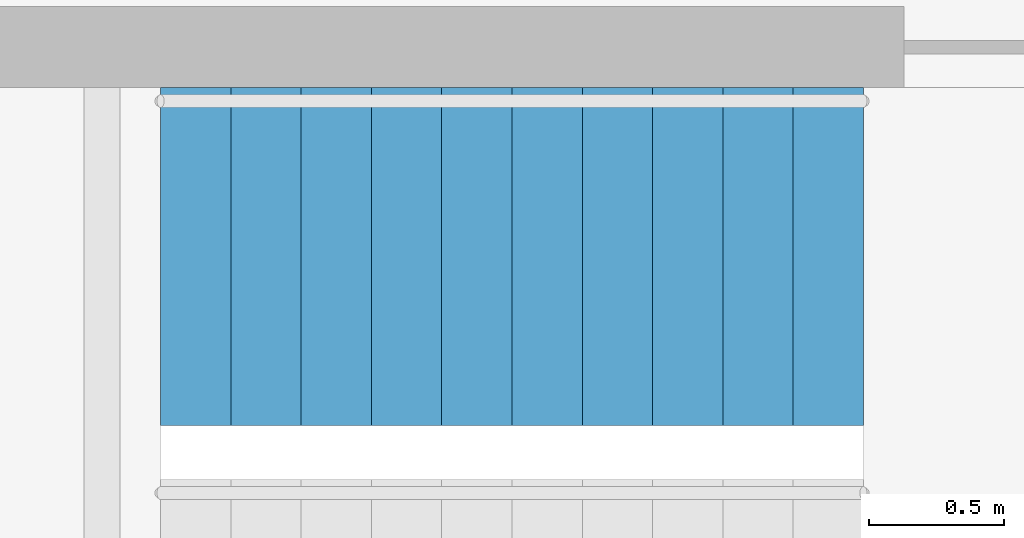
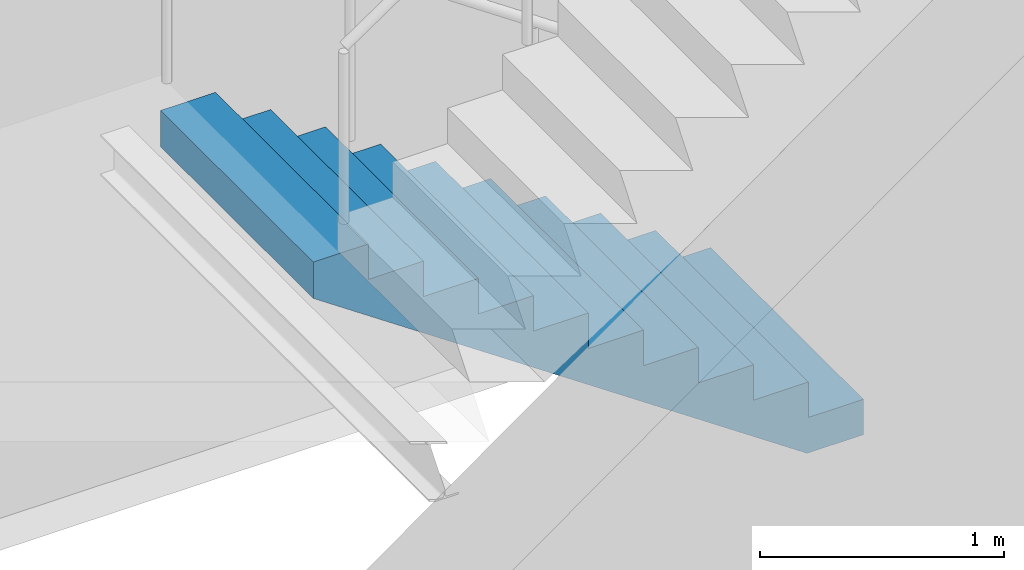
# One storey, part 12 of 14: 1 stair flight, 1 element without a shape of its own.
"""IFC4 building model written with IfcOpenShell, lengths in metres."""

from ifc_helpers import new_model, si_unit, direction, frame, origin, place, context, subcontext, project, spatial, polyline, outline, extrude, material, type_object, element, aggregate, save


model = new_model("IFC4")

# Units and contexts
model_context = context("Model", 3, precision=1e-05, world=origin(), true_north=direction((0.0, 1.0)))
body_context = subcontext(model_context, "Body", "Model", "MODEL_VIEW")
ifc_project = project(units=[si_unit("LENGTHUNIT", "METRE"), si_unit("AREAUNIT", "SQUARE_METRE"), si_unit("VOLUMEUNIT", "CUBIC_METRE"), si_unit("PLANEANGLEUNIT", "RADIAN"), si_unit("MASSUNIT", "GRAM", prefix="KILO")], contexts=[model_context])

# Site, building, storey
site_placement = place(None, origin())
site = spatial("IfcSite", under=ifc_project, at=site_placement, CompositionType="ELEMENT")
building_placement = place(site_placement, origin())
building = spatial("IfcBuilding", under=site, at=building_placement, Name="Marramba Exchange Tower", CompositionType="ELEMENT")
storey_placement = place(building_placement, frame((0.0, 0.0, 162.60009765625)))
storey = spatial("IfcBuildingStorey", under=building, at=storey_placement, Name="L39", CompositionType="ELEMENT", Elevation=162.60009765625)

# Stair, stair flight
ifc_material = material(Name="Concrete N40 (40 MPa)", Category="concrete")
stair_type = type_object("IfcStairType", Name="Exit stair ST2 3900 x 1250", PredefinedType="HALF_TURN_STAIR", material=ifc_material)
stair_placement = place(storey_placement, origin())
stair = element("IfcStair", 1, at=stair_placement, inside=storey, type_object=stair_type, Name="Exit stair ST2 L39", PredefinedType="HALF_TURN_STAIR")
stair_flight_type = type_object("IfcStairFlightType", Name="ST2 stair flight 1773 riser 1250 wide", PredefinedType="STRAIGHT", material=ifc_material)
stair_flight_placement = place(storey_placement, frame((11.800048828125, -2.375, 0.0), z_axis=(0.0, 0.0, 1.0), x_axis=(-1.0, 0.0, 0.0)))
stair_flight = element("IfcStairFlight", 2, at=stair_flight_placement, type_object=stair_flight_type, Name="ST2 flight 1", NumberOfRisers=11, NumberOfTreads=10, PredefinedType="STRAIGHT", RiserHeight=0.177272727, TreadLength=0.26, context=body_context, shape_type="SweptSolid", body=[
    extrude(outline(polyline([(0.0, 0.0), (0.0, 0.17724609375), (0.260009765625, 0.17724609375), (0.260009765625, 0.3544921875), (0.52001953125, 0.3544921875), (0.52001953125, 0.53173828125), (0.780029296875, 0.53173828125), (0.780029296875, 0.708984375), (1.0400390625, 0.708984375), (1.0400390625, 0.886474609375), (1.300048828125, 0.886474609375), (1.300048828125, 1.063720703125), (1.56005859375, 1.063720703125), (1.56005859375, 1.240966796875), (1.820068359375, 1.240966796875), (1.820068359375, 1.418212890625), (2.080078125, 1.418212890625), (2.080078125, 1.595458984375), (2.340087890625, 1.595458984375), (2.340087890625, 1.772705078125), (2.60009765625, 1.772705078125), (2.60009765625, 1.949951171875), (2.60009765625, 1.59130859375), (0.26611328125, 0.0), (0.0, 0.0)])), frame((0.0, 0.625, 0.0), z_axis=(0.0, -1.0, 0.0), x_axis=(1.0, 0.0, 0.0)), (0.0, 0.0, 1.0), 1.25),
])
aggregate(stair, [stair_flight])

save(model, "model.ifc")
